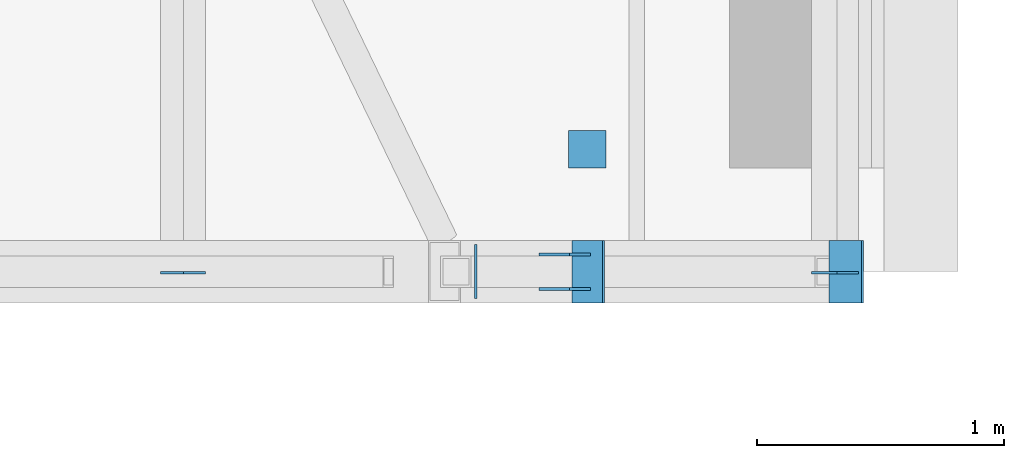
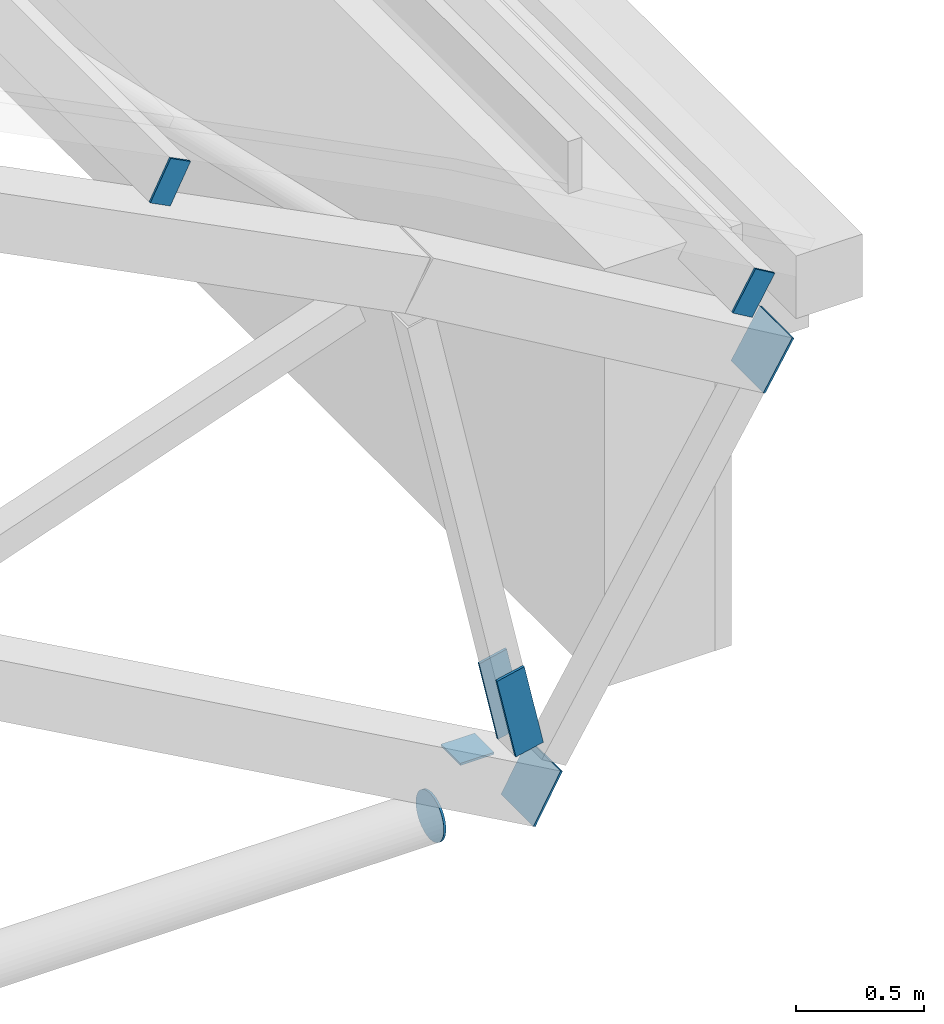
# One storey, part 93 of 127: 8 discrete accessories.
"""IFC4 building model written with IfcOpenShell, lengths in metres."""

import ifcopenshell
import ifcopenshell.guid

model = None  # the IFC model being written
_history = None  # IfcOwnerHistory: only IFC2X3 demands one
_inside = {}  # id of a spatial element -> (the spatial element, [elements in it])
_under = {}  # id of a project, library or spatial element -> (it, [spatial elements below it])
_declared = {}  # id of a project -> (the project, [libraries it declares])
_typed = {}  # id of a type object -> (the type object, [elements of that type])
_made_of = {}  # id of a material, layer set ... -> (it, [elements and type objects made of it])


def new_model(schema):
    """Start an empty IFC model of exactly this schema.

    Asked for "IFC4X3", IfcOpenShell would pick the latest addendum, in which some entities
    have other attributes; the version numbers below select the first issue.
    IFC2X3 requires an IfcOwnerHistory on every rooted entity: one is made here for all.
    """
    global model, _history
    if schema == "IFC4X3":
        model = ifcopenshell.file(schema_version=(4, 3, 0, 0))
    else:
        model = ifcopenshell.file(schema=schema)
    _inside.clear()
    _under.clear()
    _declared.clear()
    _typed.clear()
    _made_of.clear()
    _history = None
    if model.schema == "IFC2X3":
        org = make("IfcOrganization", Name="unknown")
        user = make(
            "IfcPersonAndOrganization",
            ThePerson=make("IfcPerson", FamilyName="unknown"),
            TheOrganization=org,
        )
        app = make(
            "IfcApplication",
            ApplicationDeveloper=org,
            Version="unknown",
            ApplicationFullName="unknown",
            ApplicationIdentifier="unknown",
        )
        _history = make(
            "IfcOwnerHistory",
            OwningUser=user,
            OwningApplication=app,
            ChangeAction="ADDED",
            CreationDate=0,
        )
    return model


def make(cls, **values):
    """One entity of the class cls with the attributes given. An attribute that is None is left unset."""
    return model.create_entity(
        cls, **{name: value for name, value in values.items() if value is not None}
    )


def rooted(cls, **values):
    """An entity with a GlobalId (a new one), such as an element, a storey or a relation."""
    return make(cls, GlobalId=ifcopenshell.guid.new(), OwnerHistory=_history, **values)


def si_unit(unit_type, name, prefix=None):
    """IfcSIUnit, for example si_unit("LENGTHUNIT", "METRE", prefix="MILLI")."""
    return make("IfcSIUnit", UnitType=unit_type, Prefix=prefix, Name=name)


def assignment(units):
    """IfcUnitAssignment: the units of a project."""
    return None if units is None else make("IfcUnitAssignment", Units=units)


def point(xyz):
    """IfcCartesianPoint."""
    return None if xyz is None else make("IfcCartesianPoint", Coordinates=xyz)


def direction(xyz):
    """IfcDirection."""
    return None if xyz is None else make("IfcDirection", DirectionRatios=xyz)


def frame(location, z_axis=None, x_axis=None):
    """IfcAxis2Placement3D, a coordinate frame: its origin and axes. An axis left out is left unset."""
    return make(
        "IfcAxis2Placement3D",
        Location=point(location),
        Axis=direction(z_axis),
        RefDirection=direction(x_axis),
    )


def frame_2d(location, x_axis=None):
    """IfcAxis2Placement2D, a coordinate frame in the plane: its origin and x axis."""
    return make(
        "IfcAxis2Placement2D", Location=point(location), RefDirection=direction(x_axis)
    )


def origin():
    """The frame at (0, 0, 0) with its axes left unset."""
    return frame((0.0, 0.0, 0.0))


def origin_2d():
    """The frame at (0, 0) in the plane with its x axis left unset."""
    return frame_2d((0.0, 0.0))


def place(relative_to, where):
    """IfcLocalPlacement: puts the frame where relative to a parent placement (None: the world)."""
    return make(
        "IfcLocalPlacement", PlacementRelTo=relative_to, RelativePlacement=where
    )


def context(
    kind, dimensions, precision=None, world=None, true_north=None, identifier=None
):
    """IfcGeometricRepresentationContext, for example the 3D "Model" context."""
    return make(
        "IfcGeometricRepresentationContext",
        ContextIdentifier=identifier,
        ContextType=kind,
        CoordinateSpaceDimension=dimensions,
        Precision=precision,
        WorldCoordinateSystem=world,
        TrueNorth=true_north,
    )


def subcontext(parent, identifier, kind, view, scale=None):
    """IfcGeometricRepresentationSubContext, for example "Body" below "Model"."""
    return make(
        "IfcGeometricRepresentationSubContext",
        ContextIdentifier=identifier,
        ContextType=kind,
        ParentContext=parent,
        TargetScale=scale,
        TargetView=view,
    )


def project(units=None, contexts=None):
    """IfcProject with its units and contexts."""
    return rooted(
        "IfcProject",
        Name="project",
        RepresentationContexts=contexts,
        UnitsInContext=assignment(units),
    )


def spatial(cls, under=None, at=None, **own):
    """A site, building, storey or space (cls), placed at a placement, below another one or the project."""
    s = rooted(cls, ObjectPlacement=at, **own)
    if under is not None:
        _under.setdefault(under.id(), (under, []))[1].append(s)
    return s


def profile(cls, at=None, kind="AREA", **sizes):
    """A parametric profile (cls). Its sizes go by their IFC names, for example OverallWidth=200.0."""
    return make(cls, ProfileType=kind, Position=at, **sizes)


def rectangle(**sizes):
    """IfcRectangleProfileDef."""
    return profile("IfcRectangleProfileDef", **sizes)


def circle(**sizes):
    """IfcCircleProfileDef."""
    return profile("IfcCircleProfileDef", **sizes)


def extrude(swept, where, along, depth):
    """IfcExtrudedAreaSolid: the profile swept, set in the frame where, extruded along a direction by depth."""
    return make(
        "IfcExtrudedAreaSolid",
        SweptArea=swept,
        Position=where,
        ExtrudedDirection=direction(along),
        Depth=depth,
    )


def shape(context_of_items, identifier, shape_type, items):
    """IfcShapeRepresentation: the items that make up one representation, for example the "Body"."""
    return make(
        "IfcShapeRepresentation",
        ContextOfItems=context_of_items,
        RepresentationIdentifier=identifier,
        RepresentationType=shape_type,
        Items=items,
    )


def material(Name=None, Category=None):
    """IfcMaterial."""
    return make("IfcMaterial", Name=Name, Category=Category)


def material_profile(
    of_material, cross_section, Name=None, Category=None, Priority=None
):
    """IfcMaterialProfile: a cross section and its material."""
    return make(
        "IfcMaterialProfile",
        Name=Name,
        Material=of_material,
        Profile=cross_section,
        Priority=Priority,
        Category=Category,
    )


def profile_set(profiles, Name=None, composite=None):
    """IfcMaterialProfileSet."""
    return make(
        "IfcMaterialProfileSet",
        Name=Name,
        MaterialProfiles=profiles,
        CompositeProfile=composite,
    )


def made_of(thing, what):
    """Note that an element or type object is made of a material, layer set ...; save() writes the relation."""
    if what is not None:
        _made_of.setdefault(what.id(), (what, []))[1].append(thing)
    return thing


def type_object(cls, material=None, **own):
    """A type object (cls), such as IfcWallType, which elements share."""
    return made_of(rooted(cls, **own), material)


def element(
    cls,
    number,
    at=None,
    inside=None,
    cuts=None,
    type_object=None,
    material=None,
    context=None,
    identifier="Body",
    shape_type=None,
    held_by="IfcProductDefinitionShape",
    body=None,
    shapes=None,
    **own,
):
    """One element of the class cls, such as IfcWall. Its Tag is "e" and its number.

    at: its placement. inside: the storey or other place that contains it. cuts: it is an
    opening in that element (IfcRelVoidsElement). A single representation is given by context,
    identifier, shape_type and body (its items); several are given by shapes. held_by: the class
    of the entity that holds the representations. save() writes the other relations.
    """
    e = rooted(cls, Tag="e%d" % number, ObjectPlacement=at, **own)
    if body is not None:
        shapes = [shape(context, identifier, shape_type, body)]
    if shapes is not None:
        e.Representation = make(held_by, Representations=shapes)
    if inside is not None:
        _inside.setdefault(inside.id(), (inside, []))[1].append(e)
    if cuts is not None:
        rooted(
            "IfcRelVoidsElement", RelatingBuildingElement=cuts, RelatedOpeningElement=e
        )
    if type_object is not None:
        _typed.setdefault(type_object.id(), (type_object, []))[1].append(e)
    return made_of(e, material)


def aggregate(whole, parts):
    """IfcRelAggregates: a whole, such as a stair, and the parts it consists of."""
    return rooted("IfcRelAggregates", RelatingObject=whole, RelatedObjects=parts)


def save(model, path):
    """Write the relations noted so far, then the file.

    IfcRelAggregates (storeys below a building ...), IfcRelContainedInSpatialStructure (elements
    in a storey), IfcRelDefinesByType, IfcRelAssociatesMaterial and IfcRelDeclares: one each for
    every whole, place, type object, material and project.
    """
    for whole, parts in _under.values():
        aggregate(whole, parts)
    for where, things in _inside.values():
        rooted(
            "IfcRelContainedInSpatialStructure",
            RelatedElements=things,
            RelatingStructure=where,
        )
    for kind, things in _typed.values():
        rooted("IfcRelDefinesByType", RelatedObjects=things, RelatingType=kind)
    for what, things in _made_of.values():
        rooted("IfcRelAssociatesMaterial", RelatedObjects=things, RelatingMaterial=what)
    for by, libraries in _declared.values():
        rooted("IfcRelDeclares", RelatingContext=by, RelatedDefinitions=libraries)
    model.write(path)


model = new_model("IFC4")

# Units and contexts
model_context = context("Model", 3, precision=1e-05, world=origin(), true_north=direction((0.0, 1.0)))
body_context = subcontext(model_context, "Body", "Model", "MODEL_VIEW")
ifc_project = project(units=[si_unit("LENGTHUNIT", "METRE"), si_unit("AREAUNIT", "SQUARE_METRE"), si_unit("VOLUMEUNIT", "CUBIC_METRE"), si_unit("PLANEANGLEUNIT", "RADIAN"), si_unit("MASSUNIT", "GRAM", prefix="KILO")], contexts=[model_context])

# Site, building, storey
site_placement = place(None, origin())
site = spatial("IfcSite", under=ifc_project, at=site_placement, CompositionType="ELEMENT")
building_placement = place(site_placement, origin())
building = spatial("IfcBuilding", under=site, at=building_placement, Name="Verrick Yard Athletic Hall", CompositionType="ELEMENT")
storey_placement = place(building_placement, frame((0.0, 0.0, 14.0)))
storey = spatial("IfcBuildingStorey", under=building, at=storey_placement, Name="L03", CompositionType="ELEMENT", Elevation=14.0)

# Discrete accessories
ifc_material = material(Name="Structural steel 350W (CSA G40.21)", Category="steel")
ifc_material_profile_1 = material_profile(ifc_material, rectangle(XDim=0.39990234375, YDim=0.126953125, at=origin_2d()), Name="Brace end cheek plate")
ifc_profile_set_1 = profile_set([ifc_material_profile_1], Name="Structural steel 350W (CSA G40.21)")
discrete_accessory_type_1 = type_object("IfcDiscreteAccessoryType", Name="Brace end cheek plate 400x127x12", PredefinedType="BRACKET", material=ifc_profile_set_1)
for number, where, z_axis, x_axis, name in (
    (1, (75.908935546875, 71.9365234375, 0.416015625), (0.0, -1.0, 0.0), (-0.213605450371, 0.0, 0.976920012883), "Truss web end plate TB1-28 1"),
    (2, (75.908935546875, 72.0634765625, 0.416015625), (0.0, 1.0, 0.0), (-0.213605450371, 0.0, 0.976920012883), "Truss web end plate TB1-28 2"),
):
    element("IfcDiscreteAccessory", number, at=place(storey_placement, frame(where, z_axis=z_axis, x_axis=x_axis)), inside=storey, type_object=discrete_accessory_type_1, Name=name, PredefinedType="BRACKET", context=body_context, shape_type="SweptSolid", body=[
        extrude(rectangle(XDim=0.39990234375, YDim=0.126953125, at=origin_2d()), origin(), (0.0, 0.0, 1.0), 0.011962890625),
    ])
ifc_material_profile_2 = material_profile(ifc_material, rectangle(XDim=0.1015625, YDim=0.203125, at=origin_2d()), Name="STR End cap plate 203x102x9.5")
ifc_profile_set_2 = profile_set([ifc_material_profile_2], Name="Structural steel 350W (CSA G40.21)")
discrete_accessory_type_2 = type_object("IfcDiscreteAccessoryType", Name="STR End cap plate 203x102x9.5", PredefinedType="BRACKET", material=ifc_profile_set_2)
for number, where, z_axis, x_axis, name in (
    (3, (77.003173828125, 71.989990234375, 1.99462890625), (0.0, 1.0, 0.0), (-0.86316809178, 0.0, 0.504916671673), "End cap HB-PU-B-1-18 A"),
    (4, (74.365234375, 71.989990234375, 3.44873046875), (0.0, 1.0, 0.0), (-0.891352741199, 0.0, 0.453310369126), "End cap HB-PU-B-1-17 A"),
):
    element("IfcDiscreteAccessory", number, at=place(storey_placement, frame(where, z_axis=z_axis, x_axis=x_axis)), inside=storey, type_object=discrete_accessory_type_2, Name=name, PredefinedType="BRACKET", context=body_context, shape_type="SweptSolid", body=[
        extrude(rectangle(XDim=0.1015625, YDim=0.203125, at=origin_2d()), origin(), (0.0, 0.0, 1.0), 0.010009765625),
    ])
ifc_material_profile_3 = material_profile(ifc_material, rectangle(XDim=0.25390625, YDim=0.25390625, at=origin_2d()), Name="STR End cap plate 254x254x9.5")
ifc_profile_set_3 = profile_set([ifc_material_profile_3], Name="Structural steel 350W (CSA G40.21)")
discrete_accessory_type_3 = type_object("IfcDiscreteAccessoryType", Name="STR End cap plate 254x254x9.5", PredefinedType="BRACKET", material=ifc_profile_set_3)
for number, where, z_axis, x_axis, name in (
    (5, (76.0, 72.0, 0.0), (0.874157276122, 0.0, -0.485642931179), (0.0, 1.0, 0.0), "End cap Truss TB1 bottom chord 14 B"),
    (6, (77.04345703125, 72.0, 1.706298828125), (0.857492925713, 0.0, -0.514495755428), (0.0, 1.0, 0.0), "End cap Truss TB1 top chord 15 B"),
):
    element("IfcDiscreteAccessory", number, at=place(storey_placement, frame(where, z_axis=z_axis, x_axis=x_axis)), inside=storey, type_object=discrete_accessory_type_3, Name=name, PredefinedType="BRACKET", context=body_context, shape_type="SweptSolid", body=[
        extrude(rectangle(XDim=0.25390625, YDim=0.25390625, at=origin_2d()), origin(), (0.0, 0.0, 1.0), 0.010009765625),
    ])
ifc_material_profile_4 = material_profile(ifc_material, rectangle(XDim=0.15234375, YDim=0.15234375, at=origin_2d()), Name="STR End cap plate 152x152x9.5")
ifc_profile_set_4 = profile_set([ifc_material_profile_4], Name="Structural steel 350W (CSA G40.21)")
discrete_accessory_type_4 = type_object("IfcDiscreteAccessoryType", Name="STR End cap plate 152x152x9.5", PredefinedType="BRACKET", material=ifc_profile_set_4)
discrete_accessory_1_placement = place(storey_placement, frame((76.0, 72.49462890625, -0.1455078125), z_axis=(0.0, 0.0, 1.0), x_axis=(1.0, 0.0, 0.0)))
element("IfcDiscreteAccessory", 7, at=discrete_accessory_1_placement, inside=storey, type_object=discrete_accessory_type_4, Name="End cap HB-GP-BS-14 B", PredefinedType="BRACKET", context=body_context, shape_type="SweptSolid", body=[
    extrude(rectangle(XDim=0.15234375, YDim=0.15234375, at=origin_2d()), origin(), (0.0, 0.0, 1.0), 0.010009765625),
])
ifc_material_profile_5 = material_profile(ifc_material, circle(Radius=0.109619140625, at=origin_2d()), Name="STR End cap plate 219x13")
ifc_profile_set_5 = profile_set([ifc_material_profile_5], Name="Structural steel 350W (CSA G40.21)")
discrete_accessory_type_5 = type_object("IfcDiscreteAccessoryType", Name="STR End cap plate 219x13", PredefinedType="BRACKET", material=ifc_profile_set_5)
discrete_accessory_2_placement = place(storey_placement, frame((75.543701171875, 72.0, 0.0), z_axis=(1.0, 0.0, 0.0), x_axis=(0.0, 1.0, 0.0)))
element("IfcDiscreteAccessory", 8, at=discrete_accessory_2_placement, inside=storey, type_object=discrete_accessory_type_5, Name="End cap Truss TB1 tie 1 B", PredefinedType="BRACKET", context=body_context, shape_type="SweptSolid", body=[
    extrude(circle(Radius=0.109619140625, at=origin_2d()), origin(), (0.0, 0.0, 1.0), 0.010009765625),
])

save(model, "model.ifc")
